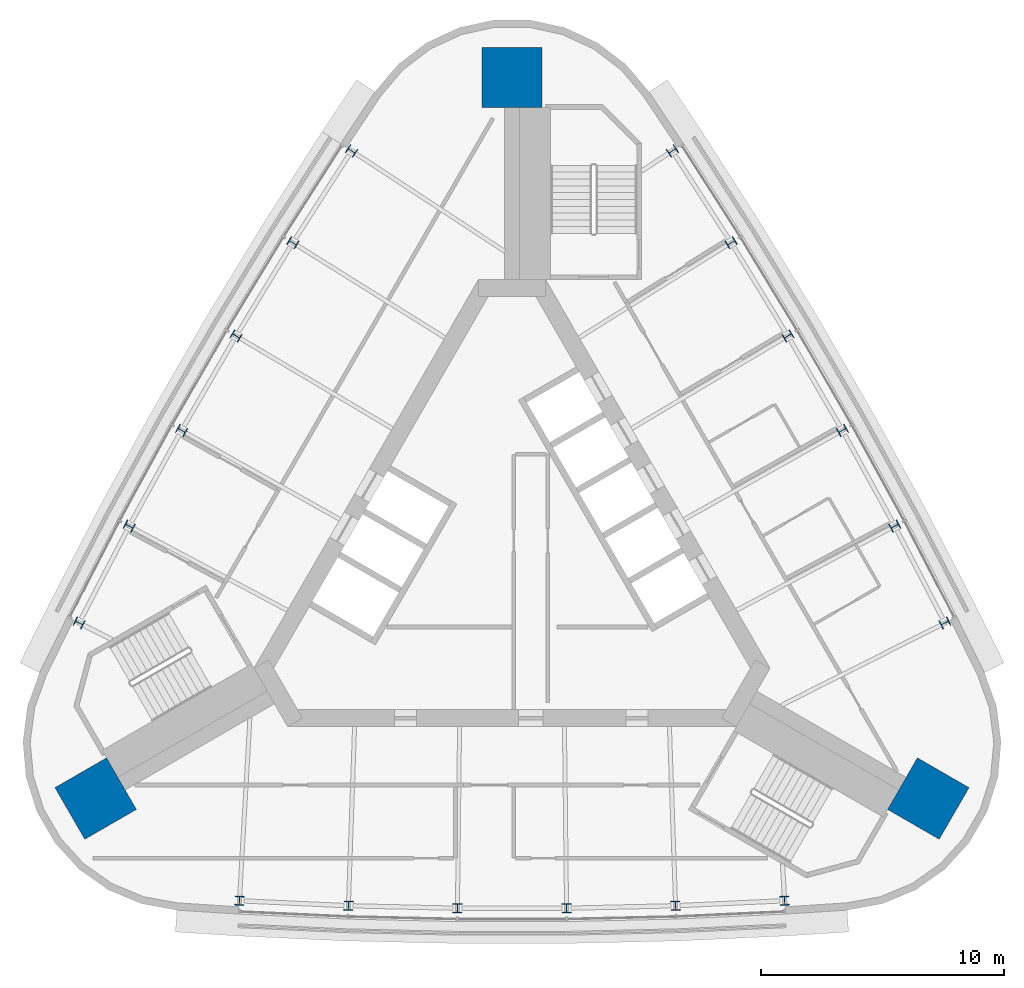
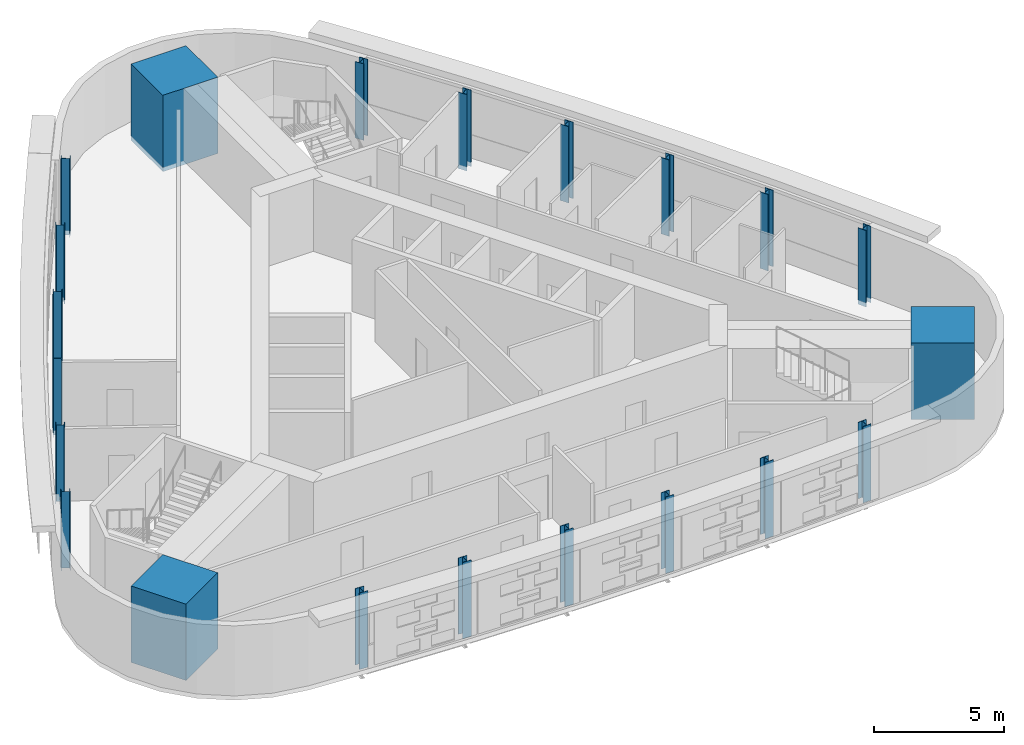
# One storey, part 1 of 10: 21 columns.
"""IFC4 building model written with IfcOpenShell, lengths in metres."""

from ifc_helpers import new_model, si_unit, direction, frame, origin, origin_2d, place, context, subcontext, project, spatial, rectangle, i_section, extrude, material, material_profile, profile_set, type_object, element, save


model = new_model("IFC4")

# Units and contexts
model_context = context("Model", 3, precision=1e-05, world=origin(), true_north=direction((0.0, 1.0)))
body_context = subcontext(model_context, "Body", "Model", "MODEL_VIEW")
ifc_project = project(units=[si_unit("LENGTHUNIT", "METRE"), si_unit("AREAUNIT", "SQUARE_METRE"), si_unit("VOLUMEUNIT", "CUBIC_METRE"), si_unit("PLANEANGLEUNIT", "RADIAN"), si_unit("MASSUNIT", "GRAM", prefix="KILO")], contexts=[model_context])

# Site, building, storey
site_placement = place(None, origin())
site = spatial("IfcSite", under=ifc_project, at=site_placement, CompositionType="ELEMENT")
building_placement = place(site_placement, origin())
building = spatial("IfcBuilding", under=site, at=building_placement, Name="Noor Cloister Tower", CompositionType="ELEMENT")
storey_placement = place(building_placement, frame((0.0, 0.0, 243.60009765625)))
storey = spatial("IfcBuildingStorey", under=building, at=storey_placement, Name="L63", CompositionType="ELEMENT", Elevation=243.60009765625)

# Columns
ifc_material_1 = material(Name="Steel ASTM A992 Gr 50", Category="steel")
ifc_material_profile_1 = material_profile(ifc_material_1, i_section(OverallWidth=0.373046875, OverallDepth=0.367919921875, WebThickness=0.014892578125, FlangeThickness=0.02392578125, FilletRadius=0.01513671875, at=origin_2d()), Name="W360x179")
ifc_profile_set_1 = profile_set([ifc_material_profile_1], Name="Steel ASTM A992 Gr 50")
column_type_1 = type_object("IfcColumnType", Name="Column W360x179", PredefinedType="COLUMN", material=ifc_profile_set_1)
for number, where, z_axis, x_axis, name in (
    (1, (-6.597412109375, 16.755859375, -0.2001953125), (0.0, 0.0, 1.0), (-0.5487897446, -0.835960415464, 0.0), "Column NW 01 L63"),
    (2, (-9.016845703125, 12.976806640625, -0.2001953125), (0.0, 0.0, 1.0), (-0.529481289862, -0.848321615713, 0.0), "Column NW 02 L63"),
    (3, (-11.348876953125, 9.14306640625, -0.2001953125), (0.0, 0.0, 1.0), (-0.509894531432, -0.860236924815, 0.0), "Column NW 03 L63"),
    (4, (-13.592529296875, 5.2568359375, -0.2001953125), (0.0, 0.0, 1.0), (-0.490039764448, -0.871700079878, 0.0), "Column NW 04 L63"),
    (5, (-15.74658203125, 1.3203125, -0.2001953125), (0.0, 0.0, 1.0), (-0.469927424856, -0.882705055705, 0.0), "Column NW 05 L63"),
    (6, (-17.809814453125, -2.66455078125, -0.2001953125), (0.0, 0.0, 1.0), (-0.44956808405, -0.893246067892, 0.0), "Column NW 06 L63"),
    (7, (-11.21240234375, -14.091552734375, -0.2001953125), (0.0, 0.0, 1.0), (0.99835782865, -0.057285652428, 0.0), "Column S 01 L63"),
    (8, (-6.729736328125, -14.297119140625, -0.2001953125), (0.0, 0.0, 1.0), (0.999408714718, -0.034383439992, 0.0), "Column S 02 L63"),
    (9, (-2.24365234375, -14.39990234375, -0.2001953125), (0.0, 0.0, 1.0), (0.999934295879, -0.011463155063, 0.0), "Column S 03 L63"),
    (10, (2.24365234375, -14.39990234375, -0.2001953125), (0.0, 0.0, 1.0), (0.999934295879, 0.011463155063, 0.0), "Column S 04 L63"),
    (11, (6.729736328125, -14.297119140625, -0.2001953125), (0.0, 0.0, 1.0), (0.999408714718, 0.034383439992, 0.0), "Column S 05 L63"),
    (12, (11.21240234375, -14.091552734375, -0.2001953125), (0.0, 0.0, 1.0), (0.99835782865, 0.057285652428, 0.0), "Column S 06 L63"),
    (13, (17.809814453125, -2.66455078125, -0.2001953125), (0.0, 0.0, 1.0), (-0.44956808405, 0.893246067892, 0.0), "Column NE 01 L63"),
    (14, (15.74658203125, 1.3203125, -0.2001953125), (0.0, 0.0, 1.0), (-0.469927424856, 0.882705055705, 0.0), "Column NE 02 L63"),
    (15, (13.592529296875, 5.2568359375, -0.2001953125), (0.0, 0.0, 1.0), (-0.490039764448, 0.871700079878, 0.0), "Column NE 03 L63"),
    (16, (11.348876953125, 9.14306640625, -0.2001953125), (0.0, 0.0, 1.0), (-0.509894531432, 0.860236924815, 0.0), "Column NE 04 L63"),
    (17, (9.016845703125, 12.976806640625, -0.2001953125), (0.0, 0.0, 1.0), (-0.529481289862, 0.848321615713, 0.0), "Column NE 05 L63"),
    (18, (6.597412109375, 16.755859375, -0.2001953125), (0.0, 0.0, 1.0), (-0.5487897446, 0.835960415464, 0.0), "Column NE 06 L63"),
):
    element("IfcColumn", number, at=place(storey_placement, frame(where, z_axis=z_axis, x_axis=x_axis)), inside=storey, type_object=column_type_1, Name=name, PredefinedType="COLUMN", context=body_context, shape_type="SweptSolid", body=[
        extrude(i_section(OverallWidth=0.373046875, OverallDepth=0.367919921875, WebThickness=0.014892578125, FlangeThickness=0.02392578125, FilletRadius=0.01513671875, at=origin_2d()), origin(), (0.0, 0.0, 1.0), 3.60009765625),
    ])
ifc_material_2 = material(Name="Concrete C60/75", Category="concrete")
ifc_material_profile_2 = material_profile(ifc_material_2, rectangle(XDim=2.449951171875, YDim=2.449951171875, at=origin_2d()), Name="RC 2450x2450")
ifc_profile_set_2 = profile_set([ifc_material_profile_2], Name="Concrete C60/75")
column_type_2 = type_object("IfcColumnType", Name="Corner pier 2450 x 2450 C60/75", PredefinedType="COLUMN", material=ifc_profile_set_2)
for number, where, z_axis, x_axis, name in (
    (19, (0.0, 19.77490234375, -0.2001953125), (0.0, 0.0, 1.0), (0.0, 1.0, 0.0), "Corner pier N L63"),
    (20, (-17.125732421875, -9.887451171875, -0.2001953125), (0.0, 0.0, 1.0), (-0.866025403784, -0.5, 0.0), "Corner pier SW L63"),
    (21, (17.125732421875, -9.887451171875, -0.2001953125), (0.0, 0.0, 1.0), (0.866025403784, -0.5, 0.0), "Corner pier SE L63"),
):
    element("IfcColumn", number, at=place(storey_placement, frame(where, z_axis=z_axis, x_axis=x_axis)), inside=storey, type_object=column_type_2, Name=name, PredefinedType="COLUMN", context=body_context, shape_type="SweptSolid", body=[
        extrude(rectangle(XDim=2.449951171875, YDim=2.449951171875, at=origin_2d()), origin(), (0.0, 0.0, 1.0), 3.60009765625),
    ])

save(model, "model.ifc")
